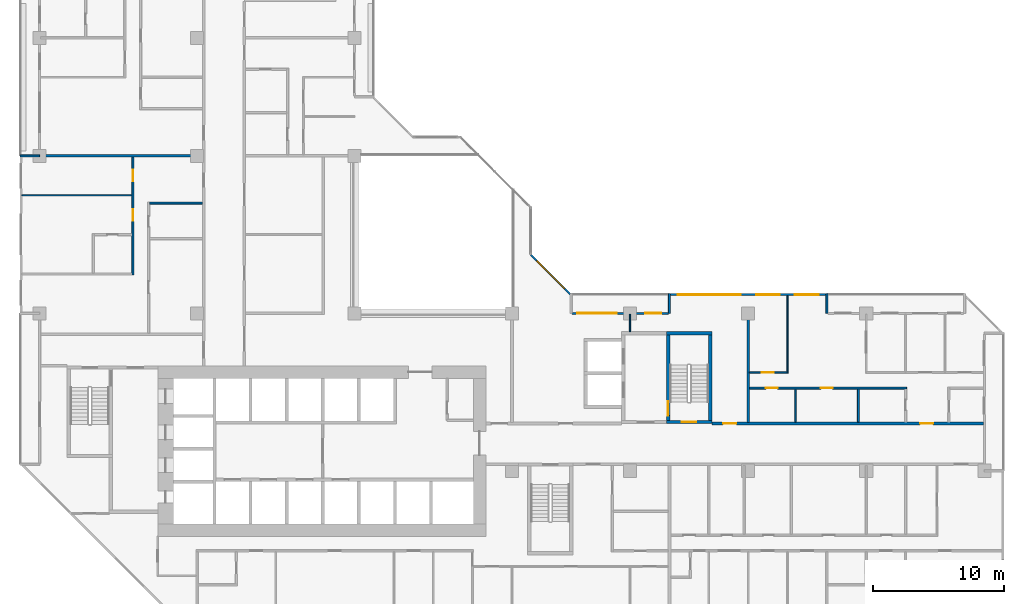
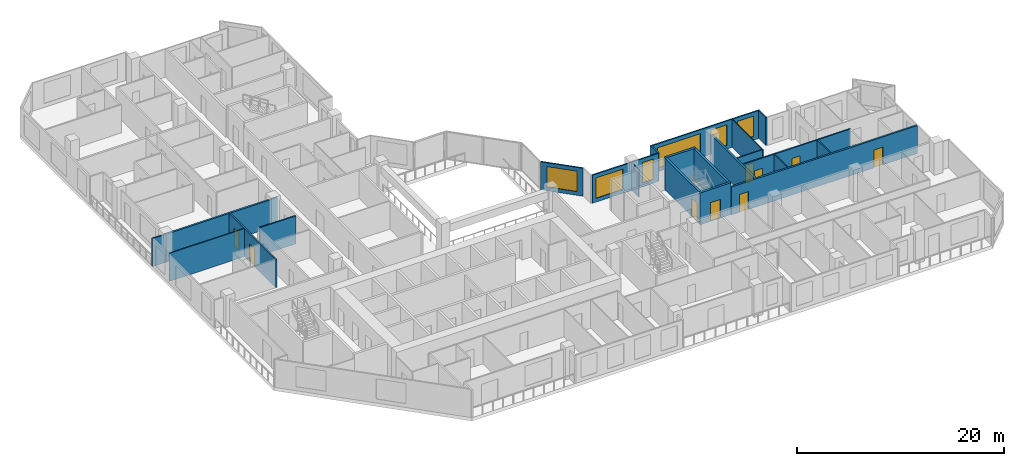
# One storey, part 8 of 15: 22 walls, 9 doors, 6 windows, 15 openings.
"""IFC4 building model written with IfcOpenShell, lengths in metres."""

from ifc_helpers import new_model, si_unit, direction, frame, frame_2d, origin, place, context, subcontext, project, spatial, rectangle, extrude, material, layer, layer_set, type_object, element, fill, save


model = new_model("IFC4")

# Units and contexts
model_context = context("Model", 3, precision=1e-05, world=origin(), true_north=direction((0.0, 1.0)))
body_context = subcontext(model_context, "Body", "Model", "MODEL_VIEW")
ifc_project = project(units=[si_unit("LENGTHUNIT", "METRE"), si_unit("AREAUNIT", "SQUARE_METRE"), si_unit("VOLUMEUNIT", "CUBIC_METRE"), si_unit("PLANEANGLEUNIT", "RADIAN"), si_unit("MASSUNIT", "GRAM", prefix="KILO")], contexts=[model_context])

# Site, building, storey
site_placement = place(None, origin())
site = spatial("IfcSite", under=ifc_project, at=site_placement, CompositionType="ELEMENT")
building_placement = place(site_placement, origin())
building = spatial("IfcBuilding", under=site, at=building_placement, Name="Chenar Terraces", CompositionType="ELEMENT")
storey_placement = place(building_placement, frame((0.0, 0.0, 136.89990234375)))
storey = spatial("IfcBuildingStorey", under=building, at=storey_placement, Name="L32", CompositionType="ELEMENT", Elevation=136.89990234375)

# Wall, opening, door
ifc_material_1 = material(Name="Concrete C70/85", Category="concrete")
ifc_layer_1 = layer(ifc_material_1, 0.25)
ifc_layer_set_1 = layer_set([ifc_layer_1], Name="Concrete C70/85")
wall_type_1 = type_object("IfcWallType", Name="Core wall 250 Concrete C70/85", PredefinedType="SHEAR", material=ifc_layer_set_1)
wall_1_placement = place(storey_placement, frame((47.77490234375, 15.72509765625, 0.0), z_axis=(0.0, 0.0, 1.0), x_axis=(1.0, 0.0, 0.0)))
wall_1 = element("IfcWall", 1, at=wall_1_placement, inside=storey, type_object=wall_type_1, Name="Core wall ST3_S L32", PredefinedType="SHEAR", context=body_context, shape_type="SweptSolid", body=[
    extrude(rectangle(XDim=3.4501953125, YDim=0.25, at=frame_2d((1.72509765625, 0.0))), origin(), (0.0, 0.0, 1.0), 3.75),
])
opening_1_placement = place(wall_1_placement, frame((1.175048828125, 0.0, 0.0)))
opening_1 = element("IfcOpeningElement", 2, at=opening_1_placement, cuts=wall_1, Name="Opening DL32-C8", PredefinedType="OPENING", context=body_context, shape_type="SweptSolid", body=[
    extrude(rectangle(XDim=1.10009765625, YDim=2.199951171875, at=frame_2d((0.550048828125, 1.10009765625))), frame((0.0, 0.135009765625, 0.0), z_axis=(0.0, -1.0, 0.0), x_axis=(1.0, 0.0, 0.0)), (0.0, 0.0, 1.0), 0.27001953125),
])
ifc_material_2 = material(Name="Steel-framed fire-resisting door leaf", Category="steel")
door_type_1 = type_object("IfcDoorType", Name="Stair fire door FD60 1100 x 2200", OperationType="SINGLE_SWING_LEFT", PredefinedType="DOOR", material=ifc_material_2)
door_1_placement = place(opening_1_placement, frame((1.10009765625, 0.0, 0.0), z_axis=(0.0, 0.0, 1.0), x_axis=(-1.0, 0.0, 0.0)))
door_1 = element("IfcDoor", 3, at=door_1_placement, inside=storey, type_object=door_type_1, Name="Stair door DL32-C8", OperationType="SINGLE_SWING_LEFT", OverallHeight=2.199951171875, OverallWidth=1.10009765625, PredefinedType="DOOR", context=body_context, shape_type="SweptSolid", body=[
    extrude(rectangle(XDim=1.10009765625, YDim=2.199951171875, at=frame_2d((0.550048828125, 1.10009765625))), frame((0.0, 0.02490234375, 0.0), z_axis=(0.0, -1.0, 0.0), x_axis=(1.0, 0.0, 0.0)), (0.0, 0.0, 1.0), 0.050048828125),
])
fill(opening_1, door_1)

# Wall
wall_2_placement = place(storey_placement, frame((47.77490234375, 22.47509765625, 0.0), z_axis=(0.0, 0.0, 1.0), x_axis=(1.0, 0.0, 0.0)))
element("IfcWall", 4, at=wall_2_placement, inside=storey, type_object=wall_type_1, Name="Core wall ST3_N L32", PredefinedType="SHEAR", context=body_context, shape_type="SweptSolid", body=[
    extrude(rectangle(XDim=3.4501953125, YDim=0.25, at=frame_2d((1.72509765625, 0.0))), origin(), (0.0, 0.0, 1.0), 3.75),
])

# Wall, opening, door
wall_3_placement = place(storey_placement, frame((47.89990234375, 15.85009765625, 0.0), z_axis=(0.0, 0.0, 1.0), x_axis=(0.0, 1.0, 0.0)))
wall_3 = element("IfcWall", 5, at=wall_3_placement, inside=storey, type_object=wall_type_1, Name="Core wall ST3_W L32", PredefinedType="SHEAR", context=body_context, shape_type="SweptSolid", body=[
    extrude(rectangle(XDim=6.5, YDim=0.25, at=frame_2d((3.25, 0.0))), origin(), (0.0, 0.0, 1.0), 3.75),
])
opening_2_placement = place(wall_3_placement, frame((0.35009765625, 0.0, 0.0)))
opening_2 = element("IfcOpeningElement", 6, at=opening_2_placement, cuts=wall_3, Name="Opening DL32-C11", PredefinedType="OPENING", context=body_context, shape_type="SweptSolid", body=[
    extrude(rectangle(XDim=1.10009765625, YDim=2.199951171875, at=frame_2d((0.550048828125, 1.10009765625))), frame((0.0, 0.135009765625, 0.0), z_axis=(0.0, -1.0, 0.0), x_axis=(1.0, 0.0, 0.0)), (0.0, 0.0, 1.0), 0.27001953125),
])
door_2_placement = place(opening_2_placement, frame((1.10009765625, 0.0, 0.0), z_axis=(0.0, 0.0, 1.0), x_axis=(-1.0, 0.0, 0.0)))
door_2 = element("IfcDoor", 7, at=door_2_placement, inside=storey, type_object=door_type_1, Name="Stair door DL32-C11", OperationType="SINGLE_SWING_RIGHT", OverallHeight=2.199951171875, OverallWidth=1.10009765625, PredefinedType="DOOR", context=body_context, shape_type="SweptSolid", body=[
    extrude(rectangle(XDim=1.10009765625, YDim=2.199951171875, at=frame_2d((0.550048828125, 1.10009765625))), frame((0.0, 0.02490234375, 0.0), z_axis=(0.0, -1.0, 0.0), x_axis=(1.0, 0.0, 0.0)), (0.0, 0.0, 1.0), 0.050048828125),
])
fill(opening_2, door_2)

# Wall
wall_4_placement = place(storey_placement, frame((51.10009765625, 15.85009765625, 0.0), z_axis=(0.0, 0.0, 1.0), x_axis=(0.0, 1.0, 0.0)))
element("IfcWall", 8, at=wall_4_placement, inside=storey, type_object=wall_type_1, Name="Core wall ST3_E L32", PredefinedType="SHEAR", context=body_context, shape_type="SweptSolid", body=[
    extrude(rectangle(XDim=6.5, YDim=0.25, at=frame_2d((3.25, 0.0))), origin(), (0.0, 0.0, 1.0), 3.75),
])

# Wall, openings, doors
ifc_material_3 = material(Name="Gypsum board on steel studs with fire boards", Category="steel")
ifc_layer_2 = layer(ifc_material_3, 0.199951171875)
ifc_layer_set_2 = layer_set([ifc_layer_2], Name="Gypsum board on steel studs with fire boards")
wall_type_2 = type_object("IfcWallType", Name="Corridor wall 200", PredefinedType="PARTITIONING", material=ifc_layer_set_2)
wall_5_placement = place(storey_placement, frame((51.22509765625, 15.60009765625, 0.0), z_axis=(0.0, 0.0, 1.0), x_axis=(1.0, 0.0, 0.0)))
wall_5 = element("IfcWall", 9, at=wall_5_placement, inside=storey, type_object=wall_type_2, Name="Partition L32-079", PredefinedType="PARTITIONING", context=body_context, shape_type="SweptSolid", body=[
    extrude(rectangle(XDim=20.700927734375, YDim=0.199951171875, at=frame_2d((10.3505859375, 0.0))), origin(), (0.0, 0.0, 1.0), 3.300048828125),
])
opening_3_placement = place(wall_5_placement, frame((15.875, 0.0, 0.0)))
opening_3 = element("IfcOpeningElement", 10, at=opening_3_placement, cuts=wall_5, Name="Opening DL32-9", PredefinedType="OPENING", context=body_context, shape_type="SweptSolid", body=[
    extrude(rectangle(XDim=1.0, YDim=2.10009765625, at=frame_2d((0.5, 1.050048828125))), frame((0.0, 0.10986328125, 0.0), z_axis=(0.0, -1.0, 0.0), x_axis=(1.0, 0.0, 0.0)), (0.0, 0.0, 1.0), 0.219970703125),
])
opening_4_placement = place(wall_5_placement, frame((0.875, 0.0, 0.0)))
opening_4 = element("IfcOpeningElement", 11, at=opening_4_placement, cuts=wall_5, Name="Opening DL32-53", PredefinedType="OPENING", context=body_context, shape_type="SweptSolid", body=[
    extrude(rectangle(XDim=1.0, YDim=2.10009765625, at=frame_2d((0.5, 1.050048828125))), frame((0.0, 0.10986328125, 0.0), z_axis=(0.0, -1.0, 0.0), x_axis=(1.0, 0.0, 0.0)), (0.0, 0.0, 1.0), 0.219970703125),
])
ifc_material_4 = material(Name="Steel-framed fire-resisting door leaf", Category="steel")
door_type_2 = type_object("IfcDoorType", Name="Fire door FD30S 1000 x 2100", OperationType="SINGLE_SWING_LEFT", PredefinedType="DOOR", material=ifc_material_4)
door_3_placement = place(opening_3_placement, origin())
door_3 = element("IfcDoor", 12, at=door_3_placement, inside=storey, type_object=door_type_2, Name="Door DL32-9", OperationType="SINGLE_SWING_LEFT", OverallHeight=2.10009765625, OverallWidth=1.0, PredefinedType="DOOR", context=body_context, shape_type="SweptSolid", body=[
    extrude(rectangle(XDim=1.0, YDim=2.10009765625, at=frame_2d((0.5, 1.050048828125))), frame((0.0, 0.02490234375, 0.0), z_axis=(0.0, -1.0, 0.0), x_axis=(1.0, 0.0, 0.0)), (0.0, 0.0, 1.0), 0.050048828125),
])
fill(opening_3, door_3)
door_4_placement = place(opening_4_placement, origin())
door_4 = element("IfcDoor", 13, at=door_4_placement, inside=storey, type_object=door_type_2, Name="Door DL32-53", OperationType="SINGLE_SWING_RIGHT", OverallHeight=2.10009765625, OverallWidth=1.0, PredefinedType="DOOR", context=body_context, shape_type="SweptSolid", body=[
    extrude(rectangle(XDim=1.0, YDim=2.10009765625, at=frame_2d((0.5, 1.050048828125))), frame((0.0, 0.02490234375, 0.0), z_axis=(0.0, -1.0, 0.0), x_axis=(1.0, 0.0, 0.0)), (0.0, 0.0, 1.0), 0.050048828125),
])
fill(opening_4, door_4)

# Wall, openings, windows
ifc_material_5 = material(Name="Aluminium framed glazing", Category="aluminium")
ifc_layer_3 = layer(ifc_material_5, 0.14990234375)
ifc_layer_set_3 = layer_set([ifc_layer_3], Name="Aluminium framed glazing")
wall_type_3 = type_object("IfcWallType", Name="Glazed flush facade wall 150", PredefinedType="SOLIDWALL", material=ifc_layer_set_3)
wall_6_placement = place(storey_placement, frame((59.925048828125, 25.425048828125, 0.0), z_axis=(0.0, 0.0, 1.0), x_axis=(-1.0, 0.0, 0.0)))
wall_6 = element("IfcWall", 14, at=wall_6_placement, inside=storey, type_object=wall_type_3, Name="Glazed flush facade wall", PredefinedType="SOLIDWALL", context=body_context, shape_type="SweptSolid", body=[
    extrude(rectangle(XDim=11.85009765625, YDim=0.14990234375, at=frame_2d((5.925048828125, 0.0))), origin(), (0.0, 0.0, 1.0), 3.300048828125),
])
opening_5_placement = place(wall_6_placement, frame((0.5625, 0.0, 0.449951171875)))
opening_5 = element("IfcOpeningElement", 15, at=opening_5_placement, cuts=wall_6, Name="Opening W180x240", PredefinedType="OPENING", context=body_context, shape_type="SweptSolid", body=[
    extrude(rectangle(XDim=1.800048828125, YDim=2.39990234375, at=frame_2d((0.89990234375, 1.199951171875))), frame((0.0, 0.0849609375, 0.0), z_axis=(0.0, -1.0, 0.0), x_axis=(1.0, 0.0, 0.0)), (0.0, 0.0, 1.0), 0.169921875),
])
opening_6_placement = place(wall_6_placement, frame((3.52490234375, 0.0, 0.449951171875)))
opening_6 = element("IfcOpeningElement", 16, at=opening_6_placement, cuts=wall_6, Name="Opening W180x240", PredefinedType="OPENING", context=body_context, shape_type="SweptSolid", body=[
    extrude(rectangle(XDim=1.800048828125, YDim=2.39990234375, at=frame_2d((0.89990234375, 1.199951171875))), frame((0.0, 0.0849609375, 0.0), z_axis=(0.0, -1.0, 0.0), x_axis=(1.0, 0.0, 0.0)), (0.0, 0.0, 1.0), 0.169921875),
])
opening_7_placement = place(wall_6_placement, frame((6.487548828125, 0.0, 0.449951171875)))
opening_7 = element("IfcOpeningElement", 17, at=opening_7_placement, cuts=wall_6, Name="Opening W480x240", PredefinedType="OPENING", context=body_context, shape_type="SweptSolid", body=[
    extrude(rectangle(XDim=4.800048828125, YDim=2.39990234375, at=frame_2d((2.39990234375, 1.199951171875))), frame((0.0, 0.0849609375, 0.0), z_axis=(0.0, -1.0, 0.0), x_axis=(1.0, 0.0, 0.0)), (0.0, 0.0, 1.0), 0.169921875),
])
ifc_material_6 = material(Name="Low emissivity double glazing, aluminium frame", Category="aluminium")
window_type_1 = type_object("IfcWindowType", Name="Fixed light 1800 x 2400", PartitioningType="SINGLE_PANEL", PredefinedType="WINDOW", material=ifc_material_6)
window_1_placement = place(opening_5_placement, origin())
window_1 = element("IfcWindow", 18, at=window_1_placement, inside=storey, type_object=window_type_1, Name="Window", OverallHeight=2.39990234375, OverallWidth=1.800048828125, PartitioningType="SINGLE_PANEL", PredefinedType="WINDOW", context=body_context, shape_type="SweptSolid", body=[
    extrude(rectangle(XDim=1.800048828125, YDim=2.39990234375, at=frame_2d((0.89990234375, 1.199951171875))), frame((0.0, 0.030029296875, 0.0), z_axis=(0.0, -1.0, 0.0), x_axis=(1.0, 0.0, 0.0)), (0.0, 0.0, 1.0), 0.06005859375),
])
fill(opening_5, window_1)
window_2_placement = place(opening_6_placement, origin())
window_2 = element("IfcWindow", 19, at=window_2_placement, inside=storey, type_object=window_type_1, Name="Window", OverallHeight=2.39990234375, OverallWidth=1.800048828125, PartitioningType="SINGLE_PANEL", PredefinedType="WINDOW", context=body_context, shape_type="SweptSolid", body=[
    extrude(rectangle(XDim=1.800048828125, YDim=2.39990234375, at=frame_2d((0.89990234375, 1.199951171875))), frame((0.0, 0.030029296875, 0.0), z_axis=(0.0, -1.0, 0.0), x_axis=(1.0, 0.0, 0.0)), (0.0, 0.0, 1.0), 0.06005859375),
])
fill(opening_6, window_2)
ifc_material_7 = material(Name="Low emissivity double glazing, aluminium frame", Category="aluminium")
window_type_2 = type_object("IfcWindowType", Name="Fixed light 4800 x 2400", PartitioningType="SINGLE_PANEL", PredefinedType="WINDOW", material=ifc_material_7)
window_3_placement = place(opening_7_placement, origin())
window_3 = element("IfcWindow", 20, at=window_3_placement, inside=storey, type_object=window_type_2, Name="Window", OverallHeight=2.39990234375, OverallWidth=4.800048828125, PartitioningType="SINGLE_PANEL", PredefinedType="WINDOW", context=body_context, shape_type="SweptSolid", body=[
    extrude(rectangle(XDim=4.800048828125, YDim=2.39990234375, at=frame_2d((2.39990234375, 1.199951171875))), frame((0.0, 0.030029296875, 0.0), z_axis=(0.0, -1.0, 0.0), x_axis=(1.0, 0.0, 0.0)), (0.0, 0.0, 1.0), 0.06005859375),
])
fill(opening_7, window_3)

ifc_material_8 = material(Name="Aluminium framed glazing", Category="aluminium")
ifc_layer_4 = layer(ifc_material_8, 0.14990234375)
ifc_layer_set_4 = layer_set([ifc_layer_4], Name="Aluminium framed glazing")
wall_type_4 = type_object("IfcWallType", Name="Glazed loggia back wall 150", PredefinedType="SOLIDWALL", material=ifc_layer_set_4)
wall_7_placement = place(storey_placement, frame((47.925048828125, 24.0, 0.0), z_axis=(0.0, 0.0, 1.0), x_axis=(-1.0, 0.0, 0.0)))
wall_7 = element("IfcWall", 21, at=wall_7_placement, inside=storey, type_object=wall_type_4, Name="Glazed loggia back wall", PredefinedType="SOLIDWALL", context=body_context, shape_type="SweptSolid", body=[
    extrude(rectangle(XDim=7.35009765625, YDim=0.14990234375, at=frame_2d((3.675048828125, 0.0))), origin(), (0.0, 0.0, 1.0), 3.300048828125),
])
opening_8_placement = place(wall_7_placement, frame((0.5625, 0.0, 0.449951171875)))
opening_8 = element("IfcOpeningElement", 22, at=opening_8_placement, cuts=wall_7, Name="Opening W120x240", PredefinedType="OPENING", context=body_context, shape_type="SweptSolid", body=[
    extrude(rectangle(XDim=1.199951171875, YDim=2.39990234375, at=frame_2d((0.60009765625, 1.199951171875))), frame((0.0, 0.0849609375, 0.0), z_axis=(0.0, -1.0, 0.0), x_axis=(1.0, 0.0, 0.0)), (0.0, 0.0, 1.0), 0.169921875),
])
opening_9_placement = place(wall_7_placement, frame((3.9375, 0.0, 0.449951171875)))
opening_9 = element("IfcOpeningElement", 23, at=opening_9_placement, cuts=wall_7, Name="Opening W300x240", PredefinedType="OPENING", context=body_context, shape_type="SweptSolid", body=[
    extrude(rectangle(XDim=3.0, YDim=2.39990234375, at=frame_2d((1.5, 1.199951171875))), frame((0.0, 0.0849609375, 0.0), z_axis=(0.0, -1.0, 0.0), x_axis=(1.0, 0.0, 0.0)), (0.0, 0.0, 1.0), 0.169921875),
])
ifc_material_9 = material(Name="Low emissivity double glazing, aluminium frame", Category="aluminium")
window_type_3 = type_object("IfcWindowType", Name="Fixed light 1200 x 2400", PartitioningType="SINGLE_PANEL", PredefinedType="WINDOW", material=ifc_material_9)
window_4_placement = place(opening_8_placement, origin())
window_4 = element("IfcWindow", 24, at=window_4_placement, inside=storey, type_object=window_type_3, Name="Window", OverallHeight=2.39990234375, OverallWidth=1.199951171875, PartitioningType="SINGLE_PANEL", PredefinedType="WINDOW", context=body_context, shape_type="SweptSolid", body=[
    extrude(rectangle(XDim=1.199951171875, YDim=2.39990234375, at=frame_2d((0.60009765625, 1.199951171875))), frame((0.0, 0.030029296875, 0.0), z_axis=(0.0, -1.0, 0.0), x_axis=(1.0, 0.0, 0.0)), (0.0, 0.0, 1.0), 0.06005859375),
])
fill(opening_8, window_4)
ifc_material_10 = material(Name="Low emissivity double glazing, aluminium frame", Category="aluminium")
window_type_4 = type_object("IfcWindowType", Name="Fixed light 3000 x 2400", PartitioningType="SINGLE_PANEL", PredefinedType="WINDOW", material=ifc_material_10)
window_5_placement = place(opening_9_placement, origin())
window_5 = element("IfcWindow", 25, at=window_5_placement, inside=storey, type_object=window_type_4, Name="Window", OverallHeight=2.39990234375, OverallWidth=3.0, PartitioningType="SINGLE_PANEL", PredefinedType="WINDOW", context=body_context, shape_type="SweptSolid", body=[
    extrude(rectangle(XDim=3.0, YDim=2.39990234375, at=frame_2d((1.5, 1.199951171875))), frame((0.0, 0.030029296875, 0.0), z_axis=(0.0, -1.0, 0.0), x_axis=(1.0, 0.0, 0.0)), (0.0, 0.0, 1.0), 0.06005859375),
])
fill(opening_9, window_5)

# Walls
ifc_material_11 = material(Name="Gypsum board on steel studs", Category="steel")
ifc_layer_5 = layer(ifc_material_11, 0.10009765625)
ifc_layer_set_5 = layer_set([ifc_layer_5], Name="Gypsum board on steel studs")
wall_type_5 = type_object("IfcWallType", Name="Gypsum partition 100", PredefinedType="PARTITIONING", material=ifc_layer_set_5)
wall_8_placement = place(storey_placement, frame((-1.35107421875, 33.0, 0.0), z_axis=(0.0, 0.0, 1.0), x_axis=(1.0, 0.0, 0.0)))
element("IfcWall", 26, at=wall_8_placement, inside=storey, type_object=wall_type_5, Name="Partition L32-001", PredefinedType="PARTITIONING", context=body_context, shape_type="SweptSolid", body=[
    extrude(rectangle(XDim=8.3759765625, YDim=0.10009765625, at=frame_2d((4.18798828125, 0.0))), origin(), (0.0, 0.0, 1.0), 3.300048828125),
])
wall_9_placement = place(storey_placement, frame((45.0, 22.60009765625, 0.0), z_axis=(0.0, 0.0, 1.0), x_axis=(0.0, 1.0, 0.0)))
element("IfcWall", 27, at=wall_9_placement, inside=storey, type_object=wall_type_5, Name="Partition L32-071", PredefinedType="PARTITIONING", context=body_context, shape_type="SweptSolid", body=[
    extrude(rectangle(XDim=1.325927734375, YDim=0.10009765625, at=frame_2d((0.6630859375, 0.0))), origin(), (0.0, 0.0, 1.0), 3.300048828125),
])

# Wall, opening, door
wall_10_placement = place(storey_placement, frame((54.10009765625, 19.5, 0.0), z_axis=(0.0, 0.0, 1.0), x_axis=(1.0, 0.0, 0.0)))
wall_10 = element("IfcWall", 28, at=wall_10_placement, inside=storey, type_object=wall_type_5, Name="Partition L32-084", PredefinedType="PARTITIONING", context=body_context, shape_type="SweptSolid", body=[
    extrude(rectangle(XDim=2.849853515625, YDim=0.10009765625, at=frame_2d((1.4248046875, 0.0))), origin(), (0.0, 0.0, 1.0), 3.300048828125),
])
opening_10_placement = place(wall_10_placement, frame((0.949951171875, 0.0, 0.0)))
opening_10 = element("IfcOpeningElement", 29, at=opening_10_placement, cuts=wall_10, Name="Opening DL32-12", PredefinedType="OPENING", context=body_context, shape_type="SweptSolid", body=[
    extrude(rectangle(XDim=0.89990234375, YDim=2.10009765625, at=frame_2d((0.449951171875, 1.050048828125))), frame((0.0, 0.06005859375, 0.0), z_axis=(0.0, -1.0, 0.0), x_axis=(1.0, 0.0, 0.0)), (0.0, 0.0, 1.0), 0.1201171875),
])
ifc_material_12 = material(Name="Veneered timber door leaf", Category="wood")
door_type_3 = type_object("IfcDoorType", Name="Door 900 x 2100", OperationType="SINGLE_SWING_LEFT", PredefinedType="DOOR", material=ifc_material_12)
door_5_placement = place(opening_10_placement, origin())
door_5 = element("IfcDoor", 30, at=door_5_placement, inside=storey, type_object=door_type_3, Name="Door DL32-12", OperationType="SINGLE_SWING_RIGHT", OverallHeight=2.10009765625, OverallWidth=0.89990234375, PredefinedType="DOOR", context=body_context, shape_type="SweptSolid", body=[
    extrude(rectangle(XDim=0.89990234375, YDim=2.10009765625, at=frame_2d((0.449951171875, 1.050048828125))), frame((0.0, 0.02490234375, 0.0), z_axis=(0.0, -1.0, 0.0), x_axis=(1.0, 0.0, 0.0)), (0.0, 0.0, 1.0), 0.050048828125),
])
fill(opening_10, door_5)

# Walls
wall_11_placement = place(storey_placement, frame((57.0, 19.449951171875, 0.0), z_axis=(0.0, 0.0, 1.0), x_axis=(0.0, 1.0, 0.0)))
element("IfcWall", 31, at=wall_11_placement, inside=storey, type_object=wall_type_5, Name="Partition L32-086", PredefinedType="PARTITIONING", context=body_context, shape_type="SweptSolid", body=[
    extrude(rectangle(XDim=5.900146484375, YDim=0.10009765625, at=frame_2d((2.9501953125, 0.0))), origin(), (0.0, 0.0, 1.0), 3.300048828125),
])
wall_12_placement = place(storey_placement, frame((57.60009765625, 15.699951171875, 0.0), z_axis=(0.0, 0.0, 1.0), x_axis=(0.0, 1.0, 0.0)))
element("IfcWall", 32, at=wall_12_placement, inside=storey, type_object=wall_type_5, Name="Partition L32-088", PredefinedType="PARTITIONING", context=body_context, shape_type="SweptSolid", body=[
    extrude(rectangle(XDim=2.525146484375, YDim=0.10009765625, at=frame_2d((1.2626953125, 0.0))), origin(), (0.0, 0.0, 1.0), 3.300048828125),
])
ifc_material_13 = material(Name="Terracotta cladding on insulated backing", Category="masonry")
ifc_layer_6 = layer(ifc_material_13, 0.14990234375)
ifc_layer_set_6 = layer_set([ifc_layer_6], Name="Terracotta cladding on insulated backing")
wall_type_6 = type_object("IfcWallType", Name="Loggia return wall 150", PredefinedType="SOLIDWALL", material=ifc_layer_set_6)
for number, where, z_axis, x_axis, name in (
    (33, (60.0, 25.5, 0.0), (0.0, 0.0, 1.0), (0.0, -1.0, 0.0), "Loggia return wall"),
    (34, (48.0, 25.5, 0.0), (0.0, 0.0, 1.0), (0.0, -1.0, 0.0), "Loggia return wall"),
    (35, (-1.5, 36.0, 0.0), (0.0, 0.0, 1.0), (1.0, 0.0, 0.0), "Loggia return wall"),
):
    element("IfcWall", number, at=place(storey_placement, frame(where, z_axis=z_axis, x_axis=x_axis)), inside=storey, type_object=wall_type_6, Name=name, PredefinedType="SOLIDWALL", context=body_context, shape_type="SweptSolid", body=[
        extrude(rectangle(XDim=1.5, YDim=0.14990234375, at=frame_2d((0.75, 0.0))), origin(), (0.0, 0.0, 1.0), 3.300048828125),
    ])

# Wall, opening, window
ifc_material_14 = material(Name="Terracotta cladding on insulated backing", Category="masonry")
ifc_layer_7 = layer(ifc_material_14, 0.14990234375)
ifc_layer_set_7 = layer_set([ifc_layer_7], Name="Terracotta cladding on insulated backing")
wall_type_7 = type_object("IfcWallType", Name="Terracotta rainscreen wall 150", PredefinedType="SOLIDWALL", material=ifc_layer_set_7)
wall_13_placement = place(storey_placement, frame((40.447021484375, 25.447021484375, 0.0), z_axis=(0.0, 0.0, 1.0), x_axis=(-0.707106781187, 0.707106781187, 0.0)))
wall_13 = element("IfcWall", 36, at=wall_13_placement, inside=storey, type_object=wall_type_7, Name="Terracotta rainscreen wall", PredefinedType="SOLIDWALL", context=body_context, shape_type="SweptSolid", body=[
    extrude(rectangle(XDim=4.24267578125, YDim=0.14990234375, at=frame_2d((2.121337890625, 0.0))), origin(), (0.0, 0.0, 1.0), 3.300048828125),
])
opening_11_placement = place(wall_13_placement, frame((0.621337890625, 0.0, 0.449951171875)))
opening_11 = element("IfcOpeningElement", 37, at=opening_11_placement, cuts=wall_13, Name="Opening W300x240", PredefinedType="OPENING", context=body_context, shape_type="SweptSolid", body=[
    extrude(rectangle(XDim=3.0, YDim=2.39990234375, at=frame_2d((1.5, 1.199951171875))), frame((0.0, 0.0849609375, 0.0), z_axis=(0.0, -1.0, 0.0), x_axis=(1.0, 0.0, 0.0)), (0.0, 0.0, 1.0), 0.169921875),
])
window_6_placement = place(opening_11_placement, origin())
window_6 = element("IfcWindow", 38, at=window_6_placement, inside=storey, type_object=window_type_4, Name="Window", OverallHeight=2.39990234375, OverallWidth=3.0, PartitioningType="SINGLE_PANEL", PredefinedType="WINDOW", context=body_context, shape_type="SweptSolid", body=[
    extrude(rectangle(XDim=3.0, YDim=2.39990234375, at=frame_2d((1.5, 1.199951171875))), frame((0.0, 0.030029296875, 0.0), z_axis=(0.0, -1.0, 0.0), x_axis=(1.0, 0.0, 0.0)), (0.0, 0.0, 1.0), 0.06005859375),
])
fill(opening_11, window_6)

# Walls
ifc_material_15 = material(Name="Twin gypsum board on steel studs with mineral wool", Category="steel")
ifc_layer_8 = layer(ifc_material_15, 0.199951171875)
ifc_layer_set_8 = layer_set([ifc_layer_8], Name="Twin gypsum board on steel studs with mineral wool")
wall_type_8 = type_object("IfcWallType", Name="Unit demising wall 200", PredefinedType="PARTITIONING", material=ifc_layer_set_8)
wall_14_placement = place(storey_placement, frame((0.0, 36.0, 0.0), z_axis=(0.0, 0.0, 1.0), x_axis=(1.0, 0.0, 0.0)))
element("IfcWall", 39, at=wall_14_placement, inside=storey, type_object=wall_type_8, Name="Partition L32-003", PredefinedType="PARTITIONING", context=body_context, shape_type="SweptSolid", body=[
    extrude(rectangle(XDim=12.39990234375, YDim=0.199951171875, at=frame_2d((6.199951171875, 0.0))), origin(), (0.0, 0.0, 1.0), 3.300048828125),
])
wall_15_placement = place(storey_placement, frame((54.0, 15.699951171875, 0.0), z_axis=(0.0, 0.0, 1.0), x_axis=(0.0, 1.0, 0.0)))
element("IfcWall", 40, at=wall_15_placement, inside=storey, type_object=wall_type_8, Name="Partition L32-082", PredefinedType="PARTITIONING", context=body_context, shape_type="SweptSolid", body=[
    extrude(rectangle(XDim=8.300048828125, YDim=0.199951171875, at=frame_2d((4.14990234375, 0.0))), origin(), (0.0, 0.0, 1.0), 3.300048828125),
])

# Wall, openings, doors
ifc_material_16 = material(Name="Moisture-resistant gypsum board on steel studs", Category="steel")
ifc_layer_9 = layer(ifc_material_16, 0.14990234375)
ifc_layer_set_9 = layer_set([ifc_layer_9], Name="Moisture-resistant gypsum board on steel studs")
wall_type_9 = type_object("IfcWallType", Name="Wet-room partition 150", PredefinedType="PARTITIONING", material=ifc_layer_set_9)
wall_16_placement = place(storey_placement, frame((7.10009765625, 26.925048828125, 0.0), z_axis=(0.0, 0.0, 1.0), x_axis=(0.0, 1.0, 0.0)))
wall_16 = element("IfcWall", 41, at=wall_16_placement, inside=storey, type_object=wall_type_9, Name="Partition L32-018", PredefinedType="PARTITIONING", context=body_context, shape_type="SweptSolid", body=[
    extrude(rectangle(XDim=8.974853515625, YDim=0.14990234375, at=frame_2d((4.4873046875, 0.0))), origin(), (0.0, 0.0, 1.0), 3.300048828125),
])
opening_12_placement = place(wall_16_placement, frame((7.125, 0.0, 0.0)))
opening_12 = element("IfcOpeningElement", 42, at=opening_12_placement, cuts=wall_16, Name="Opening DL32-69", PredefinedType="OPENING", context=body_context, shape_type="SweptSolid", body=[
    extrude(rectangle(XDim=0.89990234375, YDim=2.10009765625, at=frame_2d((0.449951171875, 1.050048828125))), frame((0.0, 0.0849609375, 0.0), z_axis=(0.0, -1.0, 0.0), x_axis=(1.0, 0.0, 0.0)), (0.0, 0.0, 1.0), 0.169921875),
])
opening_13_placement = place(wall_16_placement, frame((4.125, 0.0, 0.0)))
opening_13 = element("IfcOpeningElement", 43, at=opening_13_placement, cuts=wall_16, Name="Opening DL32-70", PredefinedType="OPENING", context=body_context, shape_type="SweptSolid", body=[
    extrude(rectangle(XDim=0.89990234375, YDim=2.10009765625, at=frame_2d((0.449951171875, 1.050048828125))), frame((0.0, 0.0849609375, 0.0), z_axis=(0.0, -1.0, 0.0), x_axis=(1.0, 0.0, 0.0)), (0.0, 0.0, 1.0), 0.169921875),
])
door_6_placement = place(opening_12_placement, origin())
door_6 = element("IfcDoor", 44, at=door_6_placement, inside=storey, type_object=door_type_3, Name="Door DL32-69", OperationType="SINGLE_SWING_RIGHT", OverallHeight=2.10009765625, OverallWidth=0.89990234375, PredefinedType="DOOR", context=body_context, shape_type="SweptSolid", body=[
    extrude(rectangle(XDim=0.89990234375, YDim=2.10009765625, at=frame_2d((0.449951171875, 1.050048828125))), frame((0.0, 0.02490234375, 0.0), z_axis=(0.0, -1.0, 0.0), x_axis=(1.0, 0.0, 0.0)), (0.0, 0.0, 1.0), 0.050048828125),
])
fill(opening_12, door_6)
door_7_placement = place(opening_13_placement, origin())
door_7 = element("IfcDoor", 45, at=door_7_placement, inside=storey, type_object=door_type_3, Name="Door DL32-70", OperationType="SINGLE_SWING_LEFT", OverallHeight=2.10009765625, OverallWidth=0.89990234375, PredefinedType="DOOR", context=body_context, shape_type="SweptSolid", body=[
    extrude(rectangle(XDim=0.89990234375, YDim=2.10009765625, at=frame_2d((0.449951171875, 1.050048828125))), frame((0.0, 0.02490234375, 0.0), z_axis=(0.0, -1.0, 0.0), x_axis=(1.0, 0.0, 0.0)), (0.0, 0.0, 1.0), 0.050048828125),
])
fill(opening_13, door_7)

# Wall
wall_17_placement = place(storey_placement, frame((8.375, 32.39990234375, 0.0), z_axis=(0.0, 0.0, 1.0), x_axis=(1.0, 0.0, 0.0)))
element("IfcWall", 46, at=wall_17_placement, inside=storey, type_object=wall_type_9, Name="Partition L32-027", PredefinedType="PARTITIONING", context=body_context, shape_type="SweptSolid", body=[
    extrude(rectangle(XDim=4.02490234375, YDim=0.14990234375, at=frame_2d((2.012451171875, 0.0))), origin(), (0.0, 0.0, 1.0), 3.300048828125),
])

# Wall, openings, doors
wall_18_placement = place(storey_placement, frame((54.10009765625, 18.300048828125, 0.0), z_axis=(0.0, 0.0, 1.0), x_axis=(1.0, 0.0, 0.0)))
wall_18 = element("IfcWall", 47, at=wall_18_placement, inside=storey, type_object=wall_type_9, Name="Partition L32-083", PredefinedType="PARTITIONING", context=body_context, shape_type="SweptSolid", body=[
    extrude(rectangle(XDim=11.974853515625, YDim=0.14990234375, at=frame_2d((5.9873046875, 0.0))), origin(), (0.0, 0.0, 1.0), 3.300048828125),
])
opening_14_placement = place(wall_18_placement, frame((5.449951171875, 0.0, 0.0)))
opening_14 = element("IfcOpeningElement", 48, at=opening_14_placement, cuts=wall_18, Name="Opening DL32-7", PredefinedType="OPENING", context=body_context, shape_type="SweptSolid", body=[
    extrude(rectangle(XDim=0.89990234375, YDim=2.10009765625, at=frame_2d((0.449951171875, 1.050048828125))), frame((0.0, 0.0849609375, 0.0), z_axis=(0.0, -1.0, 0.0), x_axis=(1.0, 0.0, 0.0)), (0.0, 0.0, 1.0), 0.169921875),
])
opening_15_placement = place(wall_18_placement, frame((1.25, 0.0, 0.0)))
opening_15 = element("IfcOpeningElement", 49, at=opening_15_placement, cuts=wall_18, Name="Opening DL32-11", PredefinedType="OPENING", context=body_context, shape_type="SweptSolid", body=[
    extrude(rectangle(XDim=0.89990234375, YDim=2.10009765625, at=frame_2d((0.449951171875, 1.050048828125))), frame((0.0, 0.0849609375, 0.0), z_axis=(0.0, -1.0, 0.0), x_axis=(1.0, 0.0, 0.0)), (0.0, 0.0, 1.0), 0.169921875),
])
door_8_placement = place(opening_14_placement, frame((0.89990234375, 0.0, 0.0), z_axis=(0.0, 0.0, 1.0), x_axis=(-1.0, 0.0, 0.0)))
door_8 = element("IfcDoor", 50, at=door_8_placement, inside=storey, type_object=door_type_3, Name="Door DL32-7", OperationType="SINGLE_SWING_LEFT", OverallHeight=2.10009765625, OverallWidth=0.89990234375, PredefinedType="DOOR", context=body_context, shape_type="SweptSolid", body=[
    extrude(rectangle(XDim=0.89990234375, YDim=2.10009765625, at=frame_2d((0.449951171875, 1.050048828125))), frame((0.0, 0.02490234375, 0.0), z_axis=(0.0, -1.0, 0.0), x_axis=(1.0, 0.0, 0.0)), (0.0, 0.0, 1.0), 0.050048828125),
])
fill(opening_14, door_8)
door_9_placement = place(opening_15_placement, frame((0.89990234375, 0.0, 0.0), z_axis=(0.0, 0.0, 1.0), x_axis=(-1.0, 0.0, 0.0)))
door_9 = element("IfcDoor", 51, at=door_9_placement, inside=storey, type_object=door_type_3, Name="Door DL32-11", OperationType="SINGLE_SWING_RIGHT", OverallHeight=2.10009765625, OverallWidth=0.89990234375, PredefinedType="DOOR", context=body_context, shape_type="SweptSolid", body=[
    extrude(rectangle(XDim=0.89990234375, YDim=2.10009765625, at=frame_2d((0.449951171875, 1.050048828125))), frame((0.0, 0.02490234375, 0.0), z_axis=(0.0, -1.0, 0.0), x_axis=(1.0, 0.0, 0.0)), (0.0, 0.0, 1.0), 0.050048828125),
])
fill(opening_15, door_9)

# Wall
wall_19_placement = place(storey_placement, frame((62.39990234375, 15.699951171875, 0.0), z_axis=(0.0, 0.0, 1.0), x_axis=(0.0, 1.0, 0.0)))
element("IfcWall", 52, at=wall_19_placement, inside=storey, type_object=wall_type_9, Name="Partition L32-091", PredefinedType="PARTITIONING", context=body_context, shape_type="SweptSolid", body=[
    extrude(rectangle(XDim=2.525146484375, YDim=0.14990234375, at=frame_2d((1.2626953125, 0.0))), origin(), (0.0, 0.0, 1.0), 3.300048828125),
])

save(model, "model.ifc")
